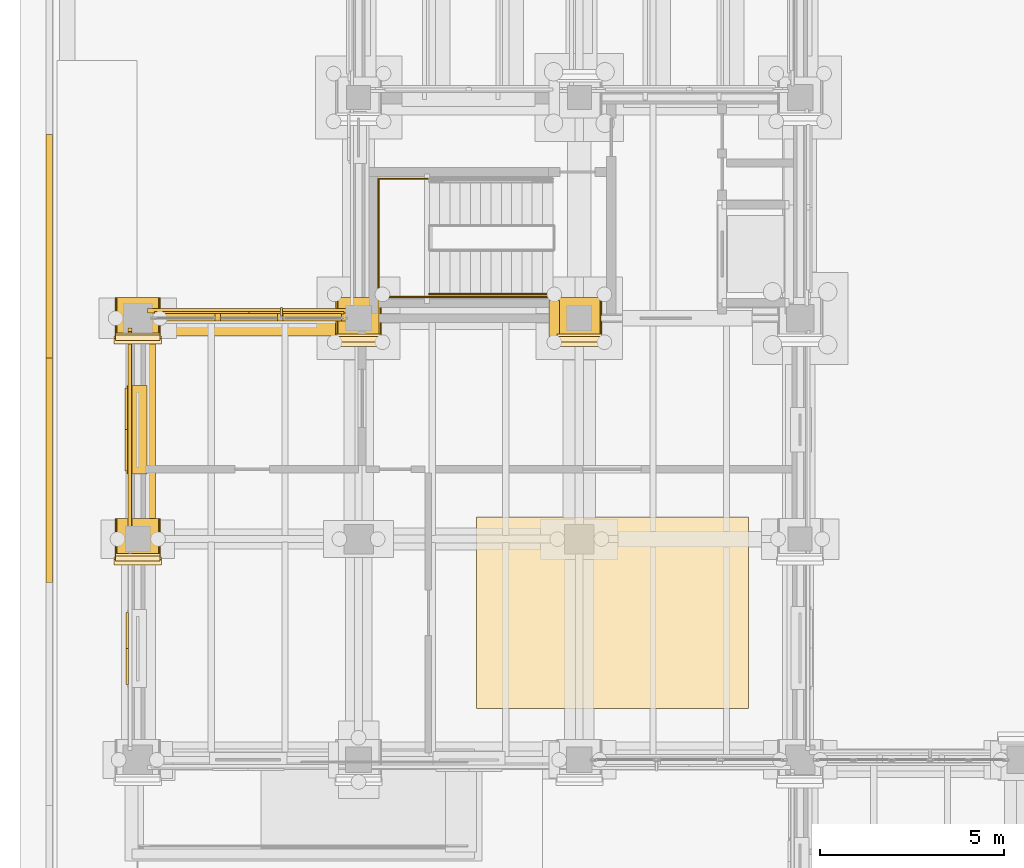
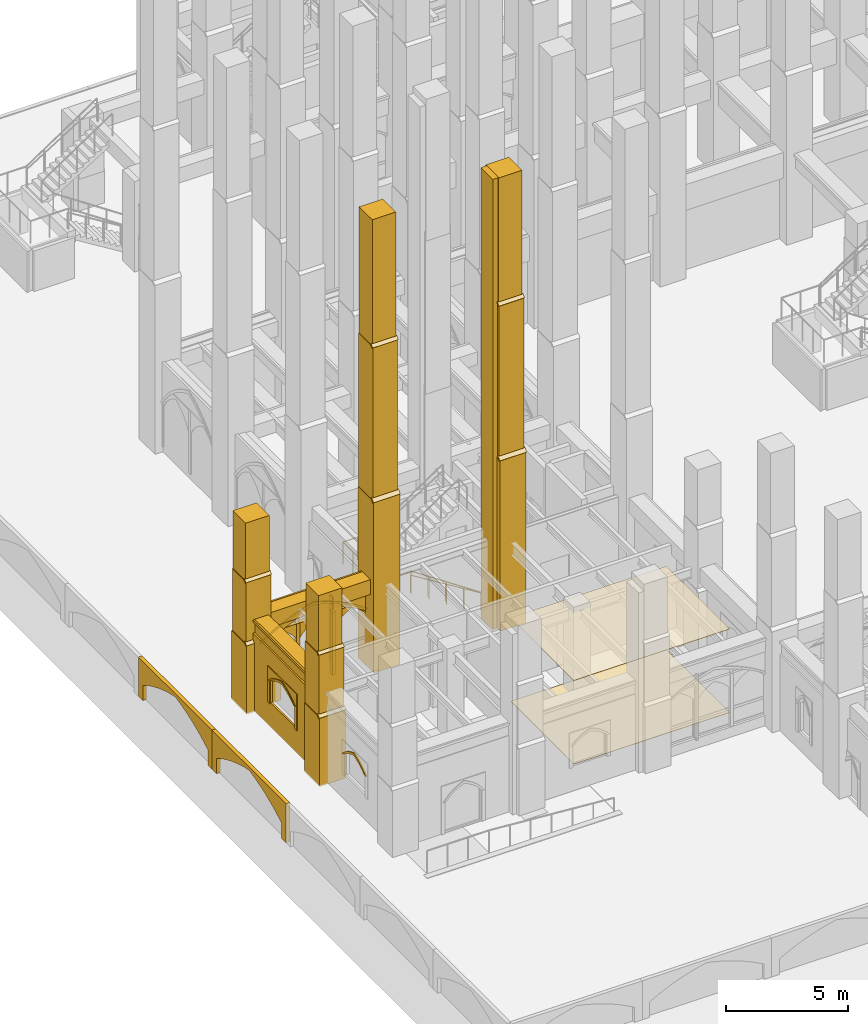
# One storey, part 77 of 135: 40 coverings, 3 railings, 1 shading device.
"""IFC4 building model written with IfcOpenShell, lengths in metres."""

from ifc_helpers import new_model, si_unit, direction, frame, origin, origin_2d, place, context, subcontext, project, spatial, polyline, rectangle, circle, outline, extrude, material, type_object, element, save


model = new_model("IFC4")

# Units and contexts
model_context = context("Model", 3, precision=1e-05, world=origin(), true_north=direction((0.0, 1.0)))
body_context = subcontext(model_context, "Body", "Model", "MODEL_VIEW")
ifc_project = project(units=[si_unit("LENGTHUNIT", "METRE"), si_unit("AREAUNIT", "SQUARE_METRE"), si_unit("VOLUMEUNIT", "CUBIC_METRE"), si_unit("PLANEANGLEUNIT", "RADIAN"), si_unit("MASSUNIT", "GRAM", prefix="KILO")], contexts=[model_context])

# Site, building, storey
site_placement = place(None, origin())
site = spatial("IfcSite", under=ifc_project, at=site_placement, CompositionType="ELEMENT")
building_placement = place(site_placement, origin())
building = spatial("IfcBuilding", under=site, at=building_placement, Name="Cumevento Cable Car Station", CompositionType="ELEMENT")
storey_placement = place(building_placement, origin())
storey = spatial("IfcBuildingStorey", under=building, at=storey_placement, Name="L01", CompositionType="ELEMENT", Elevation=0.0)

# Railings
ifc_material_1 = material(Name="Painted Galvanised Architectural Steel", Category="steel")
railing_type_1 = type_object("IfcRailingType", Name="Stair Guardrail GR-S115", PredefinedType="GUARDRAIL", material=ifc_material_1)
railing_1_placement = place(storey_placement, frame((11.919921875, 27.580078125, 2.25)))
element("IfcRailing", 1, at=railing_1_placement, inside=storey, type_object=railing_type_1, Name="Stair Half-Landing Guardrail ST-03-L01", PredefinedType="GUARDRAIL", context=body_context, shape_type="SweptSolid", body=[
    extrude(circle(Radius=0.02392578125, at=origin_2d()), frame((0.0, 0.0, 1.1259765625), z_axis=(-1.0, 0.0, 0.0), x_axis=(0.0, -1.0, 0.0)), (0.0, 0.0, 1.0), 1.3798828125),
    extrude(circle(Radius=0.02392578125, at=origin_2d()), frame((-1.3798828125, 0.0, 1.1259765625), z_axis=(0.0, 1.0, 0.0), x_axis=(-1.0, 0.0, 0.0)), (0.0, 0.0, 1.0), 3.2099609375),
    extrude(circle(Radius=0.02392578125, at=origin_2d()), frame((-1.3798828125, 3.2099609375, 1.1259765625), z_axis=(1.0, 0.0, 0.0), x_axis=(0.0, 1.0, 0.0)), (0.0, 0.0, 1.0), 1.3798828125),
    extrude(circle(Radius=0.02001953125, at=origin_2d()), origin(), (0.0, 0.0, 1.0), 1.101806640625),
    extrude(circle(Radius=0.02001953125, at=origin_2d()), frame((-0.68994140625, 0.0, 0.0)), (0.0, 0.0, 1.0), 1.101806640625),
    extrude(circle(Radius=0.02001953125, at=origin_2d()), frame((-1.3798828125, 0.0, 0.0)), (0.0, 0.0, 1.0), 1.101806640625),
    extrude(circle(Radius=0.02001953125, at=origin_2d()), frame((-1.3798828125, 0.802490234375, 0.0)), (0.0, 0.0, 1.0), 1.101806640625),
    extrude(circle(Radius=0.02001953125, at=origin_2d()), frame((-1.3798828125, 1.60498046875, 0.0)), (0.0, 0.0, 1.0), 1.101806640625),
    extrude(circle(Radius=0.02001953125, at=origin_2d()), frame((-1.3798828125, 2.407470703125, 0.0)), (0.0, 0.0, 1.0), 1.101806640625),
    extrude(circle(Radius=0.02001953125, at=origin_2d()), frame((-1.3798828125, 3.2099609375, 0.0)), (0.0, 0.0, 1.0), 1.101806640625),
    extrude(circle(Radius=0.02001953125, at=origin_2d()), frame((-0.68994140625, 3.2099609375, 0.0)), (0.0, 0.0, 1.0), 1.101806640625),
    extrude(circle(Radius=0.02001953125, at=origin_2d()), frame((0.0, 3.2099609375, 0.0)), (0.0, 0.0, 1.0), 1.101806640625),
])
railing_2_placement = place(storey_placement, frame((15.280029296875, 27.580078125, 0.0)))
element("IfcRailing", 2, at=railing_2_placement, inside=storey, type_object=railing_type_1, Name="Stair Outer Guardrail ST-03-L01 F1", PredefinedType="GUARDRAIL", context=body_context, shape_type="SweptSolid", body=[
    extrude(circle(Radius=0.02392578125, at=origin_2d()), frame((0.0, 0.0, 1.1259765625), z_axis=(-0.830915400975, 0.0, 0.556398774641), x_axis=(0.0, -1.0, 0.0)), (0.0, 0.0, 1.0), 4.0439453125),
    extrude(circle(Radius=0.02001953125, at=origin_2d()), origin(), (0.0, 0.0, 1.0), 1.101806640625),
    extrude(circle(Radius=0.02001953125, at=origin_2d()), frame((-0.840087890625, 0.0, 0.5625)), (0.0, 0.0, 1.0), 1.101806640625),
    extrude(circle(Radius=0.02001953125, at=origin_2d()), frame((-1.68017578125, 0.0, 1.125)), (0.0, 0.0, 1.0), 1.101806640625),
    extrude(circle(Radius=0.02001953125, at=origin_2d()), frame((-2.52001953125, 0.0, 1.6875)), (0.0, 0.0, 1.0), 1.101806640625),
    extrude(circle(Radius=0.02001953125, at=origin_2d()), frame((-3.360107421875, 0.0, 2.25)), (0.0, 0.0, 1.0), 1.101806640625),
])
ifc_material_2 = material(Name="Brushed Stainless Steel Handrail Tube", Category="steel")
railing_type_2 = type_object("IfcRailingType", Name="Stair Handrail HR-090", PredefinedType="HANDRAIL", material=ifc_material_2)
railing_3_placement = place(storey_placement, frame((15.280029296875, 27.659912109375, 0.17626953125)))
element("IfcRailing", 3, at=railing_3_placement, inside=storey, type_object=railing_type_2, Name="Stair Pitch Handrail ST-03-L01 F1", PredefinedType="HANDRAIL", context=body_context, shape_type="SweptSolid", body=[
    extrude(circle(Radius=0.02099609375, at=origin_2d()), frame((0.0, 0.0, 0.87890625), z_axis=(-0.850623216509, 0.0, 0.525775754039), x_axis=(0.0, -1.0, 0.0)), (0.0, 0.0, 1.0), 3.9501953125),
    extrude(circle(Radius=0.01611328125, at=origin_2d()), origin(), (0.0, 0.0, 1.0), 0.85791015625),
    extrude(circle(Radius=0.01611328125, at=origin_2d()), frame((-0.840087890625, 0.0, 0.519287109375)), (0.0, 0.0, 1.0), 0.85791015625),
    extrude(circle(Radius=0.01611328125, at=origin_2d()), frame((-1.68017578125, 0.0, 1.03857421875)), (0.0, 0.0, 1.0), 0.85791015625),
    extrude(circle(Radius=0.01611328125, at=origin_2d()), frame((-2.52001953125, 0.0, 1.5576171875)), (0.0, 0.0, 1.0), 0.85791015625),
    extrude(circle(Radius=0.01611328125, at=origin_2d()), frame((-3.360107421875, 0.0, 2.076904296875)), (0.0, 0.0, 1.0), 0.85791015625),
])

# Coverings
ifc_material_3 = material(Name="Perforated Brazilian Ipe Timber Ceiling", Category="wood")
covering_type_1 = type_object("IfcCoveringType", Name="Acoustic Timber Ceiling CV-CE01", PredefinedType="CEILING", material=ifc_material_3)
covering_1_placement = place(storey_placement, frame((0.0, 0.0, 4.18798828125)))
element("IfcCovering", 4, at=covering_1_placement, inside=storey, type_object=covering_type_1, Name="Acoustic Timber Soffit Ceiling #1", PredefinedType="CEILING", context=body_context, shape_type="SweptSolid", body=[
    extrude(outline(polyline([(13.199951171875, 16.39990234375), (20.60009765625, 16.39990234375), (20.60009765625, 21.60009765625), (13.199951171875, 21.60009765625), (13.199951171875, 16.39990234375)])), origin(), (0.0, 0.0, 1.0), 0.028076171875),
])
ifc_material_4 = material(Name="Polished Carioca Granite Terrazzo Tile", Category="masonry")
covering_type_2 = type_object("IfcCoveringType", Name="Carioca Granite Flooring CV-FL01", PredefinedType="FLOORING", material=ifc_material_4)
covering_2_placement = place(storey_placement, origin())
element("IfcCovering", 5, at=covering_2_placement, inside=storey, type_object=covering_type_2, Name="Granite Terrazzo Floor Finish #1", PredefinedType="FLOORING", context=body_context, shape_type="SweptSolid", body=[
    extrude(outline(polyline([(13.199951171875, 16.39990234375), (20.60009765625, 16.39990234375), (20.60009765625, 21.60009765625), (13.199951171875, 21.60009765625), (13.199951171875, 16.39990234375)])), origin(), (0.0, 0.0, 1.0), 0.02197265625),
])

# Shading device
ifc_material_5 = material(Name="Anodised Bronze Aluminium AW-6063-T6", Category="aluminium")
shading_device_type = type_object("IfcShadingDeviceType", Name="Bronze Lancet Brise-Soleil BS-01", PredefinedType="JALOUSIE", material=ifc_material_5)
shading_device_placement = place(storey_placement, frame((7.89990234375, 27.179931640625, 0.4599609375), z_axis=(0.0, 0.0, 1.0), x_axis=(1.0, 0.0, 0.0)))
element("IfcShadingDevice", 6, at=shading_device_placement, inside=storey, type_object=shading_device_type, Name="Bronze Lancet Solar Fin #9", PredefinedType="JALOUSIE", context=body_context, shape_type="SweptSolid", body=[
    extrude(rectangle(XDim=0.054931640625, YDim=0.239990234375, at=origin_2d()), origin(), (0.0, 0.0, 1.0), 3.3369140625),
])

# Coverings
ifc_material_6 = material(Name="Gnaisse Facoidal Stone Ashlar 85 MPa", Category="masonry")
covering_type_3 = type_object("IfcCoveringType", Name="Gnaisse Ashlar Cladding CV-CL01", PredefinedType="CLADDING", material=ifc_material_6)
covering_3_placement = place(storey_placement, frame((4.0, 20.93994140625, -0.06005859375), z_axis=(0.0, 0.0, 1.0), x_axis=(1.0, 0.0, 0.0)))
element("IfcCovering", 7, at=covering_3_placement, inside=storey, type_object=covering_type_3, Name="Stepped Gothic Stone Buttress Tier 1 bt:4.0:21.0", PredefinedType="CLADDING", context=body_context, shape_type="SweptSolid", body=[
    extrude(rectangle(XDim=1.239990234375, YDim=1.239990234375, at=origin_2d()), origin(), (0.0, 0.0, 1.0), 3.465576171875),
])
covering_4_placement = place(storey_placement, frame((3.360107421875, 20.300048828125, 3.385498046875), z_axis=(0.0, -0.714474823669, 0.699661151089), x_axis=(1.0, 0.0, 0.0)))
element("IfcCovering", 8, at=covering_4_placement, inside=storey, type_object=covering_type_3, Name="Gothic Buttress Sloped Stone Weathering 1 bt:4.0:21.0", PredefinedType="CLADDING", context=body_context, shape_type="SweptSolid", body=[
    extrude(outline(polyline([(0.0, 0.0), (1.27978515625, 0.0), (1.27978515625, 0.21424991728737658), (0.0, 0.21424991728737658), (0.0, 0.0)])), origin(), (0.0, 0.0, -1.0), 0.090087890625),
])
covering_5_placement = place(storey_placement, frame((4.0, 20.989990234375, 3.22314453125), z_axis=(0.0, 0.0, 1.0), x_axis=(1.0, 0.0, 0.0)))
element("IfcCovering", 9, at=covering_5_placement, inside=storey, type_object=covering_type_3, Name="Stepped Gothic Stone Buttress Tier 2 bt:4.0:21.0", PredefinedType="CLADDING", context=body_context, shape_type="SweptSolid", body=[
    extrude(rectangle(XDim=1.179931640625, YDim=1.139892578125, at=origin_2d()), origin(), (0.0, 0.0, 1.0), 3.283203125),
])
covering_6_placement = place(storey_placement, frame((3.389892578125, 20.39990234375, 6.486328125), z_axis=(0.0, -0.715574205881, 0.698536724788), x_axis=(1.0, 0.0, 0.0)))
element("IfcCovering", 10, at=covering_6_placement, inside=storey, type_object=covering_type_3, Name="Gothic Buttress Sloped Stone Weathering 2 bt:4.0:21.0", PredefinedType="CLADDING", context=body_context, shape_type="SweptSolid", body=[
    extrude(outline(polyline([(0.0, 0.0), (1.22021484375, 0.0), (1.22021484375, 0.2006146760464928), (0.0, 0.2006146760464928), (0.0, 0.0)])), origin(), (0.0, 0.0, -1.0), 0.090087890625),
])
covering_7_placement = place(storey_placement, frame((4.0, 21.034912109375, 6.32421875), z_axis=(0.0, 0.0, 1.0), x_axis=(1.0, 0.0, 0.0)))
element("IfcCovering", 11, at=covering_7_placement, inside=storey, type_object=covering_type_3, Name="Stepped Gothic Stone Buttress Tier 3 bt:4.0:21.0", PredefinedType="CLADDING", context=body_context, shape_type="SweptSolid", body=[
    extrude(rectangle(XDim=1.1201171875, YDim=1.050048828125, at=origin_2d()), origin(), (0.0, 0.0, 1.0), 3.075927734375),
])
covering_8_placement = place(storey_placement, frame((4.0, 26.93994140625, -0.06005859375), z_axis=(0.0, 0.0, 1.0), x_axis=(1.0, 0.0, 0.0)))
element("IfcCovering", 12, at=covering_8_placement, inside=storey, type_object=covering_type_3, Name="Stepped Gothic Stone Buttress Tier 1 bt:4.0:27.0", PredefinedType="CLADDING", context=body_context, shape_type="SweptSolid", body=[
    extrude(rectangle(XDim=1.239990234375, YDim=1.239990234375, at=origin_2d()), origin(), (0.0, 0.0, 1.0), 3.465576171875),
])
covering_9_placement = place(storey_placement, frame((3.360107421875, 26.300048828125, 3.385498046875), z_axis=(0.0, -0.714474823669, 0.699661151089), x_axis=(1.0, 0.0, 0.0)))
element("IfcCovering", 13, at=covering_9_placement, inside=storey, type_object=covering_type_3, Name="Gothic Buttress Sloped Stone Weathering 1 bt:4.0:27.0", PredefinedType="CLADDING", context=body_context, shape_type="SweptSolid", body=[
    extrude(outline(polyline([(0.0, 0.0), (1.27978515625, 0.0), (1.27978515625, 0.21424991728737658), (0.0, 0.21424991728737658), (0.0, 0.0)])), origin(), (0.0, 0.0, -1.0), 0.090087890625),
])
covering_10_placement = place(storey_placement, frame((4.0, 26.989990234375, 3.22314453125), z_axis=(0.0, 0.0, 1.0), x_axis=(1.0, 0.0, 0.0)))
element("IfcCovering", 14, at=covering_10_placement, inside=storey, type_object=covering_type_3, Name="Stepped Gothic Stone Buttress Tier 2 bt:4.0:27.0", PredefinedType="CLADDING", context=body_context, shape_type="SweptSolid", body=[
    extrude(rectangle(XDim=1.179931640625, YDim=1.139892578125, at=origin_2d()), origin(), (0.0, 0.0, 1.0), 3.283203125),
])
covering_11_placement = place(storey_placement, frame((3.389892578125, 26.39990234375, 6.486328125), z_axis=(0.0, -0.715574205881, 0.698536724788), x_axis=(1.0, 0.0, 0.0)))
element("IfcCovering", 15, at=covering_11_placement, inside=storey, type_object=covering_type_3, Name="Gothic Buttress Sloped Stone Weathering 2 bt:4.0:27.0", PredefinedType="CLADDING", context=body_context, shape_type="SweptSolid", body=[
    extrude(outline(polyline([(0.0, 0.0), (1.22021484375, 0.0), (1.22021484375, 0.2006146760464928), (0.0, 0.2006146760464928), (0.0, 0.0)])), origin(), (0.0, 0.0, -1.0), 0.090087890625),
])
covering_12_placement = place(storey_placement, frame((4.0, 27.034912109375, 6.32421875), z_axis=(0.0, 0.0, 1.0), x_axis=(1.0, 0.0, 0.0)))
element("IfcCovering", 16, at=covering_12_placement, inside=storey, type_object=covering_type_3, Name="Stepped Gothic Stone Buttress Tier 3 bt:4.0:27.0", PredefinedType="CLADDING", context=body_context, shape_type="SweptSolid", body=[
    extrude(rectangle(XDim=1.1201171875, YDim=1.050048828125, at=origin_2d()), origin(), (0.0, 0.0, 1.0), 3.075927734375),
])
covering_13_placement = place(storey_placement, frame((10.0, 26.909912109375, -0.06005859375), z_axis=(0.0, 0.0, 1.0), x_axis=(1.0, 0.0, 0.0)))
element("IfcCovering", 17, at=covering_13_placement, inside=storey, type_object=covering_type_3, Name="Stepped Gothic Stone Buttress Tier 1 bt:10.0:27.0", PredefinedType="CLADDING", context=body_context, shape_type="SweptSolid", body=[
    extrude(rectangle(XDim=1.239990234375, YDim=1.300048828125, at=origin_2d()), origin(), (0.0, 0.0, 1.0), 8.595703125),
])
covering_14_placement = place(storey_placement, frame((9.360107421875, 26.239990234375, 8.515625), z_axis=(0.0, -0.711135781079, 0.703054692658), x_axis=(1.0, 0.0, 0.0)))
element("IfcCovering", 18, at=covering_14_placement, inside=storey, type_object=covering_type_3, Name="Gothic Buttress Sloped Stone Weathering 1 bt:10.0:27.0", PredefinedType="CLADDING", context=body_context, shape_type="SweptSolid", body=[
    extrude(outline(polyline([(0.0, 0.0), (1.27978515625, 0.0), (1.27978515625, 0.24169083397703695), (0.0, 0.24169083397703695), (0.0, 0.0)])), origin(), (0.0, 0.0, -1.0), 0.090087890625),
])
covering_15_placement = place(storey_placement, frame((10.0, 26.969970703125, 8.0830078125), z_axis=(0.0, 0.0, 1.0), x_axis=(1.0, 0.0, 0.0)))
element("IfcCovering", 19, at=covering_15_placement, inside=storey, type_object=covering_type_3, Name="Stepped Gothic Stone Buttress Tier 2 bt:10.0:27.0", PredefinedType="CLADDING", context=body_context, shape_type="SweptSolid", body=[
    extrude(rectangle(XDim=1.179931640625, YDim=1.179931640625, at=origin_2d()), origin(), (0.0, 0.0, 1.0), 8.143310546875),
])
covering_16_placement = place(storey_placement, frame((9.389892578125, 26.360107421875, 16.206298828125), z_axis=(0.0, -0.714474823669, 0.699661151089), x_axis=(1.0, 0.0, 0.0)))
element("IfcCovering", 20, at=covering_16_placement, inside=storey, type_object=covering_type_3, Name="Gothic Buttress Sloped Stone Weathering 2 bt:10.0:27.0", PredefinedType="CLADDING", context=body_context, shape_type="SweptSolid", body=[
    extrude(outline(polyline([(0.0, 0.0), (1.22021484375, 0.0), (1.22021484375, 0.21424991728737655), (0.0, 0.21424991728737655), (0.0, 0.0)])), origin(), (0.0, 0.0, -1.0), 0.090087890625),
])
covering_17_placement = place(storey_placement, frame((10.0, 27.02001953125, 15.77392578125), z_axis=(0.0, 0.0, 1.0), x_axis=(1.0, 0.0, 0.0)))
element("IfcCovering", 21, at=covering_17_placement, inside=storey, type_object=covering_type_3, Name="Stepped Gothic Stone Buttress Tier 3 bt:10.0:27.0", PredefinedType="CLADDING", context=body_context, shape_type="SweptSolid", body=[
    extrude(rectangle(XDim=1.1201171875, YDim=1.080078125, at=origin_2d()), origin(), (0.0, 0.0, 1.0), 6.785888671875),
])
covering_18_placement = place(storey_placement, frame((16.0, 26.909912109375, -0.06005859375), z_axis=(0.0, 0.0, 1.0), x_axis=(1.0, 0.0, 0.0)))
element("IfcCovering", 22, at=covering_18_placement, inside=storey, type_object=covering_type_3, Name="Stepped Gothic Stone Buttress Tier 1 bt:16.0:27.0", PredefinedType="CLADDING", context=body_context, shape_type="SweptSolid", body=[
    extrude(rectangle(XDim=1.239990234375, YDim=1.300048828125, at=origin_2d()), origin(), (0.0, 0.0, 1.0), 8.595703125),
])
covering_19_placement = place(storey_placement, frame((15.360107421875, 26.239990234375, 8.515625), z_axis=(0.0, -0.711135781079, 0.703054692658), x_axis=(1.0, 0.0, 0.0)))
element("IfcCovering", 23, at=covering_19_placement, inside=storey, type_object=covering_type_3, Name="Gothic Buttress Sloped Stone Weathering 1 bt:16.0:27.0", PredefinedType="CLADDING", context=body_context, shape_type="SweptSolid", body=[
    extrude(outline(polyline([(0.0, 0.0), (1.27978515625, 0.0), (1.27978515625, 0.24169083397703695), (0.0, 0.24169083397703695), (0.0, 0.0)])), origin(), (0.0, 0.0, -1.0), 0.090087890625),
])
covering_20_placement = place(storey_placement, frame((16.0, 26.969970703125, 8.0830078125), z_axis=(0.0, 0.0, 1.0), x_axis=(1.0, 0.0, 0.0)))
element("IfcCovering", 24, at=covering_20_placement, inside=storey, type_object=covering_type_3, Name="Stepped Gothic Stone Buttress Tier 2 bt:16.0:27.0", PredefinedType="CLADDING", context=body_context, shape_type="SweptSolid", body=[
    extrude(rectangle(XDim=1.179931640625, YDim=1.179931640625, at=origin_2d()), origin(), (0.0, 0.0, 1.0), 8.143310546875),
])
covering_21_placement = place(storey_placement, frame((15.389892578125, 26.360107421875, 16.206298828125), z_axis=(0.0, -0.714474823669, 0.699661151089), x_axis=(1.0, 0.0, 0.0)))
element("IfcCovering", 25, at=covering_21_placement, inside=storey, type_object=covering_type_3, Name="Gothic Buttress Sloped Stone Weathering 2 bt:16.0:27.0", PredefinedType="CLADDING", context=body_context, shape_type="SweptSolid", body=[
    extrude(outline(polyline([(0.0, 0.0), (1.22021484375, 0.0), (1.22021484375, 0.21424991728737655), (0.0, 0.21424991728737655), (0.0, 0.0)])), origin(), (0.0, 0.0, -1.0), 0.090087890625),
])
covering_22_placement = place(storey_placement, frame((16.0, 27.02001953125, 15.77392578125), z_axis=(0.0, 0.0, 1.0), x_axis=(1.0, 0.0, 0.0)))
element("IfcCovering", 26, at=covering_22_placement, inside=storey, type_object=covering_type_3, Name="Stepped Gothic Stone Buttress Tier 3 bt:16.0:27.0", PredefinedType="CLADDING", context=body_context, shape_type="SweptSolid", body=[
    extrude(rectangle(XDim=1.1201171875, YDim=1.080078125, at=origin_2d()), origin(), (0.0, 0.0, 1.0), 6.785888671875),
])
covering_23_placement = place(storey_placement, frame((15.320068359375, 27.0, -0.06005859375), z_axis=(0.0, 0.0, 1.0), x_axis=(1.0, 0.0, 0.0)))
element("IfcCovering", 27, at=covering_23_placement, inside=storey, type_object=covering_type_3, Name="Corner Buttress Stone Return (16.0,27.0)", PredefinedType="CLADDING", context=body_context, shape_type="SweptSolid", body=[
    extrude(rectangle(XDim=0.280029296875, YDim=0.97998046875, at=origin_2d()), origin(), (0.0, 0.0, 1.0), 22.6201171875),
])
covering_24_placement = place(storey_placement, frame((7.02490234375, 26.85009765625, 3.737060546875), z_axis=(0.0, 0.0, 1.0), x_axis=(1.0, 0.0, 0.0)))
element("IfcCovering", 28, at=covering_24_placement, inside=storey, type_object=covering_type_3, Name="Gothic Stone Spandrel Stringcourse sc:0057", PredefinedType="CLADDING", context=body_context, shape_type="SweptSolid", body=[
    extrude(rectangle(XDim=5.489990234375, YDim=0.659912109375, at=origin_2d()), origin(), (0.0, 0.0, 1.0), 0.7470703125),
])
covering_25_placement = place(storey_placement, frame((7.02490234375, 27.20751953125, 4.35400390625), z_axis=(0.0, 0.0, 1.0), x_axis=(1.0, 0.0, 0.0)))
element("IfcCovering", 29, at=covering_25_placement, inside=storey, type_object=covering_type_3, Name="Gothic Cornice Dripstone Lip sc:0057", PredefinedType="CLADDING", context=body_context, shape_type="SweptSolid", body=[
    extrude(rectangle(XDim=5.530029296875, YDim=0.114990234375, at=origin_2d()), origin(), (0.0, 0.0, 1.0), 0.1298828125),
])
covering_26_placement = place(storey_placement, frame((4.14990234375, 23.97509765625, 3.7490234375), z_axis=(0.0, 0.0, 1.0), x_axis=(0.0, 1.0, 0.0)))
element("IfcCovering", 30, at=covering_26_placement, inside=storey, type_object=covering_type_3, Name="Gothic Stone Spandrel Stringcourse sc:0059", PredefinedType="CLADDING", context=body_context, shape_type="SweptSolid", body=[
    extrude(rectangle(XDim=5.489990234375, YDim=0.659912109375, at=origin_2d()), origin(), (0.0, 0.0, 1.0), 0.7470703125),
])
covering_27_placement = place(storey_placement, frame((3.79248046875, 23.97509765625, 4.365966796875), z_axis=(0.0, 0.0, 1.0), x_axis=(0.0, 1.0, 0.0)))
element("IfcCovering", 31, at=covering_27_placement, inside=storey, type_object=covering_type_3, Name="Gothic Cornice Dripstone Lip sc:0059", PredefinedType="CLADDING", context=body_context, shape_type="SweptSolid", body=[
    extrude(rectangle(XDim=5.530029296875, YDim=0.114990234375, at=origin_2d()), origin(), (0.0, 0.0, 1.0), 0.1298828125),
])
placement = place(storey_placement, frame((4.39990234375, 27.0, 0.0), z_axis=(0.0, 0.0, 1.0), x_axis=(1.0, 0.0, 0.0)))
element("IfcCovering", 32, at=placement, inside=storey, type_object=covering_type_3, Name="Gothic Ogival Pointed-Arch Stone Spandrel cw_ogival:0014", PredefinedType="CLADDING", context=body_context, shape_type="SweptSolid", body=[
    extrude(outline(polyline([(-0.080078125, 0.0), (-0.080078125, 3.876953125), (5.330078125, 3.876953125), (5.330078125, 0.0), (5.090087890625, 0.0), (5.090087890625, 2.595703125), (4.806884765625, 2.78125), (4.51513671875, 2.952880859375), (4.2158203125, 3.110595703125), (3.9091796875, 3.25390625), (3.595947265625, 3.382568359375), (3.277099609375, 3.49609375), (2.953125, 3.59423828125), (2.625, 3.677001953125), (2.296875, 3.59423828125), (1.972900390625, 3.49609375), (1.654052734375, 3.382568359375), (1.3408203125, 3.25390625), (1.0341796875, 3.110595703125), (0.73486328125, 2.952880859375), (0.443115234375, 2.78125), (0.159912109375, 2.595703125), (0.159912109375, 0.0), (-0.080078125, 0.0)])), frame((0.0, 0.139892578125, 0.0), z_axis=(0.0, -1.0, 0.0), x_axis=(1.0, 0.0, 0.0)), (0.0, 0.0, 1.0), 0.219970703125),
])
covering_29_placement = place(storey_placement, frame((4.39990234375, 27.0, 2.595703125), z_axis=(0.0, 0.0, 1.0), x_axis=(1.0, 0.0, 0.0)))
element("IfcCovering", 33, at=covering_29_placement, inside=storey, type_object=covering_type_3, Name="Gothic Pointed Archivolt Hood Moulding cw_ogival:0014", PredefinedType="CLADDING", context=body_context, shape_type="SweptSolid", body=[
    extrude(outline(polyline([(0.159912109375, 0.0), (0.443115234375, 0.185546875), (0.73486328125, 0.357177734375), (1.0341796875, 0.514892578125), (1.3408203125, 0.658203125), (1.654052734375, 0.786865234375), (1.972900390625, 0.900390625), (2.296875, 0.99853515625), (2.625, 1.081298828125), (2.953125, 0.99853515625), (3.277099609375, 0.900390625), (3.595947265625, 0.786865234375), (3.9091796875, 0.658203125), (4.2158203125, 0.514892578125), (4.51513671875, 0.357177734375), (4.806884765625, 0.185546875), (5.090087890625, 0.0), (5.199951171875, 0.0), (4.908203125, 0.208251953125), (4.606201171875, 0.401611328125), (4.294677734375, 0.5791015625), (3.974609375, 0.74072265625), (3.646728515625, 0.885986328125), (3.31201171875, 1.01416015625), (2.97119140625, 1.125244140625), (2.625, 1.21875), (2.27880859375, 1.125244140625), (1.93798828125, 1.01416015625), (1.603271484375, 0.885986328125), (1.275390625, 0.74072265625), (0.955322265625, 0.5791015625), (0.643798828125, 0.401611328125), (0.341796875, 0.208251953125), (0.050048828125, 0.0), (0.159912109375, 0.0)])), frame((0.0, 0.181884765625, 0.0), z_axis=(0.0, -1.0, 0.0), x_axis=(1.0, 0.0, 0.0)), (0.0, 0.0, 1.0), 0.06689453125),
])
element("IfcCovering", 34, at=placement, inside=storey, type_object=covering_type_3, Name="Gothic Bifora Stone Colonnette cw_ogival:0014 #1", PredefinedType="CLADDING", context=body_context, shape_type="SweptSolid", body=[
    extrude(outline(polyline([(1.703369140625, -0.02001953125), (1.853271484375, -0.02001953125), (1.853271484375, 3.157958984375), (1.703369140625, 3.157958984375), (1.703369140625, -0.02001953125)])), frame((0.0, 0.1279296875, 0.0), z_axis=(0.0, -1.0, 0.0), x_axis=(1.0, 0.0, 0.0)), (0.0, 0.0, 1.0), 0.205078125),
])
element("IfcCovering", 35, at=placement, inside=storey, type_object=covering_type_3, Name="Gothic Bifora Stone Colonnette cw_ogival:0014 #2", PredefinedType="CLADDING", context=body_context, shape_type="SweptSolid", body=[
    extrude(outline(polyline([(3.396728515625, -0.02001953125), (3.546630859375, -0.02001953125), (3.546630859375, 3.157958984375), (3.396728515625, 3.157958984375), (3.396728515625, -0.02001953125)])), frame((0.0, 0.1279296875, 0.0), z_axis=(0.0, -1.0, 0.0), x_axis=(1.0, 0.0, 0.0)), (0.0, 0.0, 1.0), 0.205078125),
])
for number, where, z_axis, x_axis, name in (
    (36, (4.530029296875, 27.0, 2.415771484375), (0.0, 0.0, 1.0), (1.0, 0.0, 0.0), "Gothic Ogival Pointed-Arch Stone Spandrel cw_ogival:0014:sub:0"),
    (37, (6.223388671875, 27.0, 2.415771484375), (0.0, 0.0, 1.0), (1.0, 0.0, 0.0), "Gothic Ogival Pointed-Arch Stone Spandrel cw_ogival:0014:sub:1"),
    (38, (7.916748046875, 27.0, 2.415771484375), (0.0, 0.0, 1.0), (1.0, 0.0, 0.0), "Gothic Ogival Pointed-Arch Stone Spandrel cw_ogival:0014:sub:2"),
):
    element("IfcCovering", number, at=place(storey_placement, frame(where, z_axis=z_axis, x_axis=x_axis)), inside=storey, type_object=covering_type_3, Name=name, PredefinedType="CLADDING", context=body_context, shape_type="SweptSolid", body=[
        extrude(outline(polyline([(-0.02001953125, 0.0), (-0.02001953125, 0.7421875), (1.623291015625, 0.7421875), (1.623291015625, 0.0), (1.563232421875, 0.0), (1.466064453125, 0.13525390625), (1.355224609375, 0.259521484375), (1.23193359375, 0.37158203125), (1.097412109375, 0.47021484375), (0.95361328125, 0.553955078125), (0.8017578125, 0.622314453125), (0.649658203125, 0.553955078125), (0.505859375, 0.47021484375), (0.371337890625, 0.37158203125), (0.248046875, 0.259521484375), (0.13720703125, 0.13525390625), (0.0400390625, 0.0), (-0.02001953125, 0.0)])), frame((0.0, 0.1240234375, 0.0), z_axis=(0.0, -1.0, 0.0), x_axis=(1.0, 0.0, 0.0)), (0.0, 0.0, 1.0), 0.199951171875),
    ])
covering_32_placement = place(storey_placement, frame((4.0, 17.010009765625, 2.330078125), z_axis=(0.0, 0.0, 1.0), x_axis=(0.0, 1.0, 0.0)))
element("IfcCovering", 39, at=covering_32_placement, inside=storey, type_object=covering_type_3, Name="Gothic Pointed Archivolt Hood Moulding op_ogival:0142:1", PredefinedType="CLADDING", context=body_context, shape_type="SweptSolid", body=[
    extrude(outline(polyline([(0.139892578125, 0.0), (0.251220703125, 0.0888671875), (0.36767578125, 0.170654296875), (0.4892578125, 0.244873046875), (0.615234375, 0.31103515625), (0.745361328125, 0.369140625), (0.878662109375, 0.4189453125), (1.014892578125, 0.4599609375), (1.1513671875, 0.4189453125), (1.28466796875, 0.369140625), (1.414794921875, 0.31103515625), (1.540771484375, 0.244873046875), (1.662353515625, 0.170654296875), (1.77880859375, 0.0888671875), (1.889892578125, 0.0), (1.989013671875, 0.0), (1.869384765625, 0.112060546875), (1.7421875, 0.21533203125), (1.60791015625, 0.309326171875), (1.467529296875, 0.3935546875), (1.3212890625, 0.467529296875), (1.170166015625, 0.531005859375), (1.014892578125, 0.583740234375), (0.85986328125, 0.531005859375), (0.708740234375, 0.467529296875), (0.5625, 0.3935546875), (0.422119140625, 0.309326171875), (0.287841796875, 0.21533203125), (0.16064453125, 0.112060546875), (0.041015625, 0.0), (0.139892578125, 0.0)])), frame((0.0, 0.324951171875, 0.0), z_axis=(0.0, -1.0, 0.0), x_axis=(1.0, 0.0, 0.0)), (0.0, 0.0, 1.0), 0.06689453125),
])
covering_33_placement = place(storey_placement, frame((4.0, 21.35009765625, 0.0), z_axis=(0.0, 0.0, 1.0), x_axis=(0.0, 1.0, 0.0)))
element("IfcCovering", 40, at=covering_33_placement, inside=storey, type_object=covering_type_3, Name="Exterior Gnaisse Stone Wall Ashlar #144", PredefinedType="CLADDING", context=body_context, shape_type="SweptSolid", body=[
    extrude(outline(polyline([(-0.0400390625, -0.02001953125), (5.2900390625, -0.02001953125), (5.2900390625, 3.8291015625), (-0.0400390625, 3.8291015625), (-0.0400390625, -0.02001953125)]), holes=[polyline([(1.610107421875, 1.2099609375), (3.639892578125, 1.2099609375), (3.639892578125, 2.739990234375), (1.610107421875, 2.739990234375), (1.610107421875, 1.2099609375)])]), frame((0.0, 0.260009765625, 0.0), z_axis=(0.0, -1.0, 0.0), x_axis=(1.0, 0.0, 0.0)), (0.0, 0.0, 1.0), 0.0849609375),
])
covering_34_placement = place(storey_placement, frame((4.0, 22.81005859375, 1.14990234375), z_axis=(0.0, 0.0, 1.0), x_axis=(0.0, 1.0, 0.0)))
element("IfcCovering", 41, at=covering_34_placement, inside=storey, type_object=covering_type_3, Name="Gothic Ogival Pointed-Arch Stone Spandrel op_ogival:0144:1", PredefinedType="CLADDING", context=body_context, shape_type="SweptSolid", body=[
    extrude(outline(polyline([(-0.0400390625, 0.0), (-0.0400390625, 1.820068359375), (2.3701171875, 1.820068359375), (2.3701171875, 0.0), (2.18994140625, 0.0), (2.18994140625, 1.166015625), (2.056396484375, 1.25830078125), (1.917724609375, 1.3427734375), (1.7744140625, 1.419189453125), (1.627197265625, 1.4873046875), (1.47607421875, 1.546875), (1.32177734375, 1.597900390625), (1.1650390625, 1.64013671875), (1.00830078125, 1.597900390625), (0.85400390625, 1.546875), (0.702880859375, 1.4873046875), (0.5556640625, 1.419189453125), (0.412353515625, 1.3427734375), (0.273681640625, 1.25830078125), (0.139892578125, 1.166015625), (0.139892578125, 0.0), (-0.0400390625, 0.0)])), frame((0.0, 0.298095703125, 0.0), z_axis=(0.0, -1.0, 0.0), x_axis=(1.0, 0.0, 0.0)), (0.0, 0.0, 1.0), 0.550048828125),
])
covering_35_placement = place(storey_placement, frame((4.0, 22.81005859375, 2.31591796875), z_axis=(0.0, 0.0, 1.0), x_axis=(0.0, 1.0, 0.0)))
element("IfcCovering", 42, at=covering_35_placement, inside=storey, type_object=covering_type_3, Name="Gothic Pointed Archivolt Hood Moulding op_ogival:0144:1", PredefinedType="CLADDING", context=body_context, shape_type="SweptSolid", body=[
    extrude(outline(polyline([(0.139892578125, 0.0), (0.273681640625, 0.09228515625), (0.412353515625, 0.1767578125), (0.5556640625, 0.253173828125), (0.702880859375, 0.3212890625), (0.85400390625, 0.380859375), (1.00830078125, 0.431884765625), (1.1650390625, 0.47412109375), (1.32177734375, 0.431884765625), (1.47607421875, 0.380859375), (1.627197265625, 0.3212890625), (1.7744140625, 0.253173828125), (1.917724609375, 0.1767578125), (2.056396484375, 0.09228515625), (2.18994140625, 0.0), (2.2890625, 0.0), (2.146728515625, 0.115478515625), (1.9970703125, 0.2216796875), (1.841064453125, 0.31787109375), (1.67919921875, 0.404052734375), (1.511962890625, 0.4794921875), (1.340576171875, 0.544189453125), (1.1650390625, 0.59765625), (0.989501953125, 0.544189453125), (0.818115234375, 0.4794921875), (0.65087890625, 0.404052734375), (0.489013671875, 0.31787109375), (0.3330078125, 0.2216796875), (0.183349609375, 0.115478515625), (0.041015625, 0.0), (0.139892578125, 0.0)])), frame((0.0, 0.340087890625, 0.0), z_axis=(0.0, -1.0, 0.0), x_axis=(1.0, 0.0, 0.0)), (0.0, 0.0, 1.0), 0.06689453125),
])
for number, where, z_axis, x_axis, name in (
    (43, (1.64990234375, 25.904541015625, -1.919921875), (0.0, 0.0, 1.0), (0.0, 1.0, 0.0), "Gothic Ogival Pointed-Arch Stone Spandrel cumevento_plinth:plinth_arch:W:6"),
    (44, (1.64990234375, 19.8408203125, -1.919921875), (0.0, 0.0, 1.0), (0.0, 1.0, 0.0), "Gothic Ogival Pointed-Arch Stone Spandrel cumevento_plinth:plinth_arch:W:7"),
):
    element("IfcCovering", number, at=place(storey_placement, frame(where, z_axis=z_axis, x_axis=x_axis)), inside=storey, type_object=covering_type_3, Name=name, PredefinedType="CLADDING", context=body_context, shape_type="SweptSolid", body=[
        extrude(outline(polyline([(-0.02001953125, 0.0), (-0.02001953125, 1.9599609375), (6.083740234375, 1.9599609375), (6.083740234375, 0.0), (5.70361328125, 0.0), (5.70361328125, 0.77001953125), (5.284912109375, 1.003662109375), (4.853759765625, 1.21337890625), (4.41162109375, 1.3984375), (3.95947265625, 1.55810546875), (3.4990234375, 1.692138671875), (3.03173828125, 1.800048828125), (2.564697265625, 1.692138671875), (2.104248046875, 1.55810546875), (1.652099609375, 1.3984375), (1.2099609375, 1.21337890625), (0.77880859375, 1.003662109375), (0.360107421875, 0.77001953125), (0.360107421875, 0.0), (-0.02001953125, 0.0)])), frame((0.0, 0.14990234375, 0.0), z_axis=(0.0, -1.0, 0.0), x_axis=(1.0, 0.0, 0.0)), (0.0, 0.0, 1.0), 0.179931640625),
    ])

save(model, "model.ifc")
